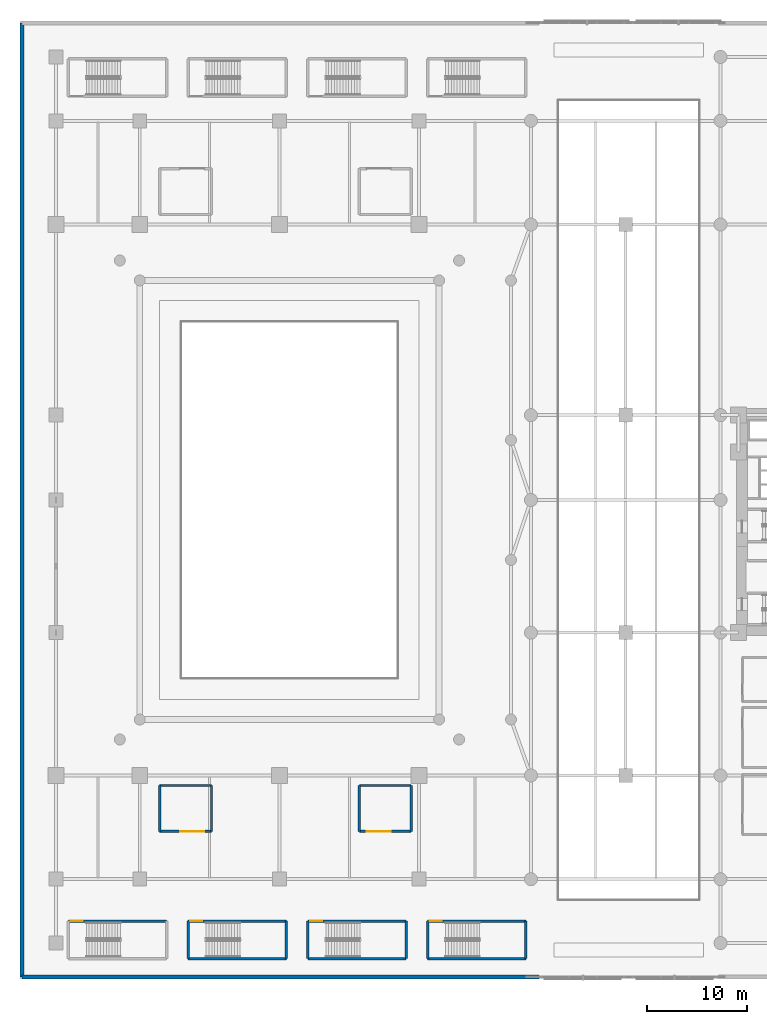
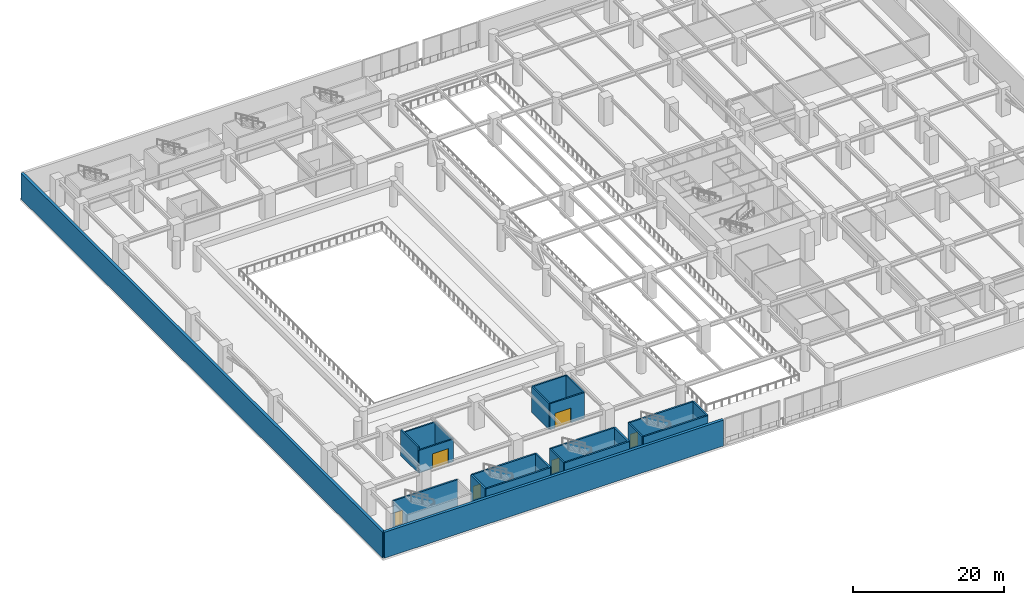
# One storey, part 12 of 32: 23 walls, 6 doors, 6 openings.
"""IFC4 building model written with IfcOpenShell, lengths in metres."""

from ifc_helpers import new_model, si_unit, direction, frame, frame_2d, origin, place, context, subcontext, project, spatial, rectangle, extrude, material, layer, layer_set, type_object, element, fill, save


model = new_model("IFC4")

# Units and contexts
model_context = context("Model", 3, precision=1e-05, world=origin(), true_north=direction((0.0, 1.0)))
body_context = subcontext(model_context, "Body", "Model", "MODEL_VIEW")
ifc_project = project(units=[si_unit("LENGTHUNIT", "METRE"), si_unit("AREAUNIT", "SQUARE_METRE"), si_unit("VOLUMEUNIT", "CUBIC_METRE"), si_unit("PLANEANGLEUNIT", "RADIAN"), si_unit("MASSUNIT", "GRAM", prefix="KILO")], contexts=[model_context])

# Site, building, storey
site_placement = place(None, origin())
site = spatial("IfcSite", under=ifc_project, at=site_placement, CompositionType="ELEMENT")
building_placement = place(site_placement, origin())
building = spatial("IfcBuilding", under=site, at=building_placement, Name="Narakoshi Arena Tower", CompositionType="ELEMENT")
storey_placement = place(building_placement, frame((0.0, 0.0, 4.5)))
storey = spatial("IfcBuildingStorey", under=building, at=storey_placement, Name="L01", CompositionType="ELEMENT", Elevation=4.5)

# Wall, opening, door
ifc_material_1 = material(Name="Concrete C40/50", Category="concrete")
ifc_layer_1 = layer(ifc_material_1, 0.219970703125)
ifc_layer_set_1 = layer_set([ifc_layer_1], Name="Concrete C40/50")
wall_type_1 = type_object("IfcWallType", Name="WL-COMP-220", PredefinedType="SOLIDWALL", material=ifc_layer_set_1)
wall_1_placement = place(storey_placement, frame((14.0, 14.800048828125, 0.0), z_axis=(0.0, 0.0, 1.0), x_axis=(1.0, 0.0, 0.0)))
wall_1 = element("IfcWall", 1, at=wall_1_placement, inside=storey, type_object=wall_type_1, Name="L01 Vomitory 1 Wall S", PredefinedType="SOLIDWALL", context=body_context, shape_type="SweptSolid", body=[
    extrude(rectangle(XDim=5.199951171875, YDim=0.219970703125, at=frame_2d((2.60009765625, 0.0))), origin(), (0.0, 0.0, 1.0), 3.6650390625),
])
opening_1_placement = place(wall_1_placement, frame((2.050048828125, 0.0, 0.0)))
opening_1 = element("IfcOpeningElement", 2, at=opening_1_placement, cuts=wall_1, Name="Opening D-02", PredefinedType="OPENING", context=body_context, shape_type="SweptSolid", body=[
    extrude(rectangle(XDim=2.39990234375, YDim=2.39990234375, at=frame_2d((1.199951171875, 1.199951171875))), frame((0.0, 0.119873046875, 0.0), z_axis=(0.0, -1.0, 0.0), x_axis=(1.0, 0.0, 0.0)), (0.0, 0.0, 1.0), 0.239990234375),
])
ifc_material_2 = material(Name="Painted galvanized steel", Category="steel")
door_type_1 = type_object("IfcDoorType", Name="DR-ARN-2400", OperationType="DOUBLE_DOOR_SINGLE_SWING", PredefinedType="USERDEFINED", material=ifc_material_2)
door_1_placement = place(opening_1_placement, frame((2.39990234375, 0.0, 0.0), z_axis=(0.0, 0.0, 1.0), x_axis=(-1.0, 0.0, 0.0)))
door_1 = element("IfcDoor", 3, at=door_1_placement, inside=storey, type_object=door_type_1, Name="DR-L01-022", ObjectType="EXITDOOR", OperationType="DOUBLE_DOOR_SINGLE_SWING", OverallHeight=2.39990234375, OverallWidth=2.39990234375, PredefinedType="USERDEFINED", context=body_context, shape_type="SweptSolid", body=[
    extrude(rectangle(XDim=2.39990234375, YDim=2.39990234375, at=frame_2d((1.199951171875, 1.199951171875))), frame((0.0, 0.02490234375, 0.0), z_axis=(0.0, -1.0, 0.0), x_axis=(1.0, 0.0, 0.0)), (0.0, 0.0, 1.0), 0.050048828125),
])
fill(opening_1, door_1)

# Walls
wall_2_placement = place(storey_placement, frame((19.199951171875, 14.800048828125, 0.0), z_axis=(0.0, 0.0, 1.0), x_axis=(0.0, 1.0, 0.0)))
element("IfcWall", 4, at=wall_2_placement, inside=storey, type_object=wall_type_1, Name="L01 Vomitory 1 Wall E", PredefinedType="SOLIDWALL", context=body_context, shape_type="SweptSolid", body=[
    extrude(rectangle(XDim=4.599853515625, YDim=0.219970703125, at=frame_2d((2.2998046875, 0.0))), origin(), (0.0, 0.0, 1.0), 3.6650390625),
])
wall_3_placement = place(storey_placement, frame((19.199951171875, 19.39990234375, 0.0), z_axis=(0.0, 0.0, 1.0), x_axis=(-1.0, 0.0, 0.0)))
element("IfcWall", 5, at=wall_3_placement, inside=storey, type_object=wall_type_1, Name="L01 Vomitory 1 Wall N", PredefinedType="SOLIDWALL", context=body_context, shape_type="SweptSolid", body=[
    extrude(rectangle(XDim=5.199951171875, YDim=0.219970703125, at=frame_2d((2.60009765625, 0.0))), origin(), (0.0, 0.0, 1.0), 3.6650390625),
])
wall_4_placement = place(storey_placement, frame((14.0, 19.39990234375, 0.0), z_axis=(0.0, 0.0, 1.0), x_axis=(0.0, -1.0, 0.0)))
element("IfcWall", 6, at=wall_4_placement, inside=storey, type_object=wall_type_1, Name="L01 Vomitory 1 Wall W", PredefinedType="SOLIDWALL", context=body_context, shape_type="SweptSolid", body=[
    extrude(rectangle(XDim=4.599853515625, YDim=0.219970703125, at=frame_2d((2.2998046875, 0.0))), origin(), (0.0, 0.0, 1.0), 4.179931640625),
])

# Wall, opening, door
wall_5_placement = place(storey_placement, frame((34.0, 14.800048828125, 0.0), z_axis=(0.0, 0.0, 1.0), x_axis=(1.0, 0.0, 0.0)))
wall_5 = element("IfcWall", 7, at=wall_5_placement, inside=storey, type_object=wall_type_1, Name="L01 Vomitory 2 Wall S", PredefinedType="SOLIDWALL", context=body_context, shape_type="SweptSolid", body=[
    extrude(rectangle(XDim=5.199951171875, YDim=0.219970703125, at=frame_2d((2.60009765625, 0.0))), origin(), (0.0, 0.0, 1.0), 4.179931640625),
])
opening_2_placement = place(wall_5_placement, frame((0.75, 0.0, 0.0)))
opening_2 = element("IfcOpeningElement", 8, at=opening_2_placement, cuts=wall_5, Name="Opening D-02", PredefinedType="OPENING", context=body_context, shape_type="SweptSolid", body=[
    extrude(rectangle(XDim=2.39990234375, YDim=2.39990234375, at=frame_2d((1.199951171875, 1.199951171875))), frame((0.0, 0.119873046875, 0.0), z_axis=(0.0, -1.0, 0.0), x_axis=(1.0, 0.0, 0.0)), (0.0, 0.0, 1.0), 0.239990234375),
])
door_2_placement = place(opening_2_placement, frame((2.39990234375, 0.0, 0.0), z_axis=(0.0, 0.0, 1.0), x_axis=(-1.0, 0.0, 0.0)))
door_2 = element("IfcDoor", 9, at=door_2_placement, inside=storey, type_object=door_type_1, Name="DR-L01-023", ObjectType="EXITDOOR", OperationType="DOUBLE_DOOR_SINGLE_SWING", OverallHeight=2.39990234375, OverallWidth=2.39990234375, PredefinedType="USERDEFINED", context=body_context, shape_type="SweptSolid", body=[
    extrude(rectangle(XDim=2.39990234375, YDim=2.39990234375, at=frame_2d((1.199951171875, 1.199951171875))), frame((0.0, 0.02490234375, 0.0), z_axis=(0.0, -1.0, 0.0), x_axis=(1.0, 0.0, 0.0)), (0.0, 0.0, 1.0), 0.050048828125),
])
fill(opening_2, door_2)

# Walls
wall_6_placement = place(storey_placement, frame((39.199951171875, 14.800048828125, 0.0), z_axis=(0.0, 0.0, 1.0), x_axis=(0.0, 1.0, 0.0)))
element("IfcWall", 10, at=wall_6_placement, inside=storey, type_object=wall_type_1, Name="L01 Vomitory 2 Wall E", PredefinedType="SOLIDWALL", context=body_context, shape_type="SweptSolid", body=[
    extrude(rectangle(XDim=4.599853515625, YDim=0.219970703125, at=frame_2d((2.2998046875, 0.0))), origin(), (0.0, 0.0, 1.0), 4.179931640625),
])
wall_7_placement = place(storey_placement, frame((39.199951171875, 19.39990234375, 0.0), z_axis=(0.0, 0.0, 1.0), x_axis=(-1.0, 0.0, 0.0)))
element("IfcWall", 11, at=wall_7_placement, inside=storey, type_object=wall_type_1, Name="L01 Vomitory 2 Wall N", PredefinedType="SOLIDWALL", context=body_context, shape_type="SweptSolid", body=[
    extrude(rectangle(XDim=5.199951171875, YDim=0.219970703125, at=frame_2d((2.60009765625, 0.0))), origin(), (0.0, 0.0, 1.0), 4.179931640625),
])
wall_8_placement = place(storey_placement, frame((34.0, 19.39990234375, 0.0), z_axis=(0.0, 0.0, 1.0), x_axis=(0.0, -1.0, 0.0)))
element("IfcWall", 12, at=wall_8_placement, inside=storey, type_object=wall_type_1, Name="L01 Vomitory 2 Wall W", PredefinedType="SOLIDWALL", context=body_context, shape_type="SweptSolid", body=[
    extrude(rectangle(XDim=4.599853515625, YDim=0.219970703125, at=frame_2d((2.2998046875, 0.0))), origin(), (0.0, 0.0, 1.0), 4.179931640625),
])
ifc_material_3 = material(Name="Precast concrete C45/55", Category="concrete")
ifc_layer_2 = layer(ifc_material_3, 0.419921875)
ifc_layer_set_2 = layer_set([ifc_layer_2], Name="Precast concrete C45/55")
wall_type_2 = type_object("IfcWallType", Name="WL-POD-420", PredefinedType="SOLIDWALL", material=ifc_layer_set_2)
wall_9_placement = place(storey_placement, frame((0.2099609375, 0.2099609375, 0.0), z_axis=(0.0, 0.0, 1.0), x_axis=(1.0, 0.0, 0.0)))
element("IfcWall", 13, at=wall_9_placement, inside=storey, type_object=wall_type_2, Name="L01 Podium Precast Facade Wall SW", PredefinedType="SOLIDWALL", context=body_context, shape_type="SweptSolid", body=[
    extrude(rectangle(XDim=51.7900390625, YDim=0.419921875, at=frame_2d((25.89501953125, 0.0))), origin(), (0.0, 0.0, 1.0), 4.179931640625),
])
wall_10_placement = place(storey_placement, frame((0.2099609375, 95.7900390625, 0.0), z_axis=(0.0, 0.0, 1.0), x_axis=(0.0, -1.0, 0.0)))
element("IfcWall", 14, at=wall_10_placement, inside=storey, type_object=wall_type_2, Name="L01 Podium Precast Facade Wall W", PredefinedType="SOLIDWALL", context=body_context, shape_type="SweptSolid", body=[
    extrude(rectangle(XDim=95.580078125, YDim=0.419921875, at=frame_2d((47.7900390625, 0.0))), origin(), (0.0, 0.0, 1.0), 4.179931640625),
])

# Wall, opening, door
ifc_material_4 = material(Name="Concrete C50/60", Category="concrete")
ifc_layer_3 = layer(ifc_material_4, 0.35009765625)
ifc_layer_set_3 = layer_set([ifc_layer_3], Name="Concrete C50/60")
wall_type_3 = type_object("IfcWallType", Name="WL-SHAFT-350", PredefinedType="SOLIDWALL", material=ifc_layer_set_3)
wall_11_placement = place(storey_placement, frame((4.85009765625, 5.800048828125, -0.320068359375), z_axis=(0.0, 0.0, 1.0), x_axis=(1.0, 0.0, 0.0)))
wall_11 = element("IfcWall", 15, at=wall_11_placement, inside=storey, type_object=wall_type_3, Name="L01 AST1 Landing Door Wall", PredefinedType="SOLIDWALL", context=body_context, shape_type="SweptSolid", body=[
    extrude(rectangle(XDim=9.849853515625, YDim=0.25, at=frame_2d((4.9248046875, 0.0))), origin(), (0.0, 0.0, 1.0), 4.5),
])
opening_3_placement = place(wall_11_placement, frame((0.219970703125, 0.0, 0.320068359375)))
opening_3 = element("IfcOpeningElement", 16, at=opening_3_placement, cuts=wall_11, Name="Opening D-03", PredefinedType="OPENING", context=body_context, shape_type="SweptSolid", body=[
    extrude(rectangle(XDim=1.199951171875, YDim=2.199951171875, at=frame_2d((0.60009765625, 1.10009765625))), frame((0.0, 0.135009765625, 0.0), z_axis=(0.0, -1.0, 0.0), x_axis=(1.0, 0.0, 0.0)), (0.0, 0.0, 1.0), 0.27001953125),
])
door_type_2 = type_object("IfcDoorType", Name="DR-STR-1200", OperationType="NOTDEFINED", PredefinedType="USERDEFINED", material=ifc_material_2)
door_3_placement = place(opening_3_placement, frame((1.199951171875, 0.0, 0.0), z_axis=(0.0, 0.0, 1.0), x_axis=(-1.0, 0.0, 0.0)))
door_3 = element("IfcDoor", 17, at=door_3_placement, inside=storey, type_object=door_type_2, Name="DR-L01-014", ObjectType="EXITDOOR", OperationType="SINGLE_SWING_LEFT", OverallHeight=2.199951171875, OverallWidth=1.199951171875, PredefinedType="USERDEFINED", context=body_context, shape_type="SweptSolid", body=[
    extrude(rectangle(XDim=1.199951171875, YDim=2.199951171875, at=frame_2d((0.60009765625, 1.10009765625))), frame((0.0, 0.02490234375, 0.0), z_axis=(0.0, -1.0, 0.0), x_axis=(1.0, 0.0, 0.0)), (0.0, 0.0, 1.0), 0.050048828125),
])
fill(opening_3, door_3)

# Walls
for number, where, z_axis, x_axis, name in (
    (18, (16.85009765625, 2.050048828125, -0.320068359375), (0.0, 0.0, 1.0), (0.0, 1.0, 0.0), "L01 AST2 Enclosure Wall W"),
    (19, (26.699951171875, 2.050048828125, -0.320068359375), (0.0, 0.0, 1.0), (0.0, 1.0, 0.0), "L01 AST2 Enclosure Wall E"),
):
    element("IfcWall", number, at=place(storey_placement, frame(where, z_axis=z_axis, x_axis=x_axis)), inside=storey, type_object=wall_type_3, Name=name, PredefinedType="SOLIDWALL", context=body_context, shape_type="SweptSolid", body=[
        extrude(rectangle(XDim=3.75, YDim=0.25, at=frame_2d((1.875, 0.0))), origin(), (0.0, 0.0, 1.0), 4.5),
    ])
wall_12_placement = place(storey_placement, frame((16.85009765625, 2.050048828125, -0.320068359375), z_axis=(0.0, 0.0, 1.0), x_axis=(1.0, 0.0, 0.0)))
element("IfcWall", 20, at=wall_12_placement, inside=storey, type_object=wall_type_3, Name="L01 AST2 Enclosure Wall B", PredefinedType="SOLIDWALL", context=body_context, shape_type="SweptSolid", body=[
    extrude(rectangle(XDim=9.849853515625, YDim=0.25, at=frame_2d((4.9248046875, 0.0))), origin(), (0.0, 0.0, 1.0), 4.5),
])

# Wall, opening, door
wall_13_placement = place(storey_placement, frame((16.85009765625, 5.800048828125, -0.320068359375), z_axis=(0.0, 0.0, 1.0), x_axis=(1.0, 0.0, 0.0)))
wall_13 = element("IfcWall", 21, at=wall_13_placement, inside=storey, type_object=wall_type_3, Name="L01 AST2 Landing Door Wall", PredefinedType="SOLIDWALL", context=body_context, shape_type="SweptSolid", body=[
    extrude(rectangle(XDim=9.849853515625, YDim=0.25, at=frame_2d((4.9248046875, 0.0))), origin(), (0.0, 0.0, 1.0), 4.5),
])
opening_4_placement = place(wall_13_placement, frame((0.219970703125, 0.0, 0.320068359375)))
opening_4 = element("IfcOpeningElement", 22, at=opening_4_placement, cuts=wall_13, Name="Opening D-03", PredefinedType="OPENING", context=body_context, shape_type="SweptSolid", body=[
    extrude(rectangle(XDim=1.199951171875, YDim=2.199951171875, at=frame_2d((0.60009765625, 1.10009765625))), frame((0.0, 0.135009765625, 0.0), z_axis=(0.0, -1.0, 0.0), x_axis=(1.0, 0.0, 0.0)), (0.0, 0.0, 1.0), 0.27001953125),
])
door_4_placement = place(opening_4_placement, frame((1.199951171875, 0.0, 0.0), z_axis=(0.0, 0.0, 1.0), x_axis=(-1.0, 0.0, 0.0)))
door_4 = element("IfcDoor", 23, at=door_4_placement, inside=storey, type_object=door_type_2, Name="DR-L01-015", ObjectType="EXITDOOR", OperationType="SINGLE_SWING_RIGHT", OverallHeight=2.199951171875, OverallWidth=1.199951171875, PredefinedType="USERDEFINED", context=body_context, shape_type="SweptSolid", body=[
    extrude(rectangle(XDim=1.199951171875, YDim=2.199951171875, at=frame_2d((0.60009765625, 1.10009765625))), frame((0.0, 0.02490234375, 0.0), z_axis=(0.0, -1.0, 0.0), x_axis=(1.0, 0.0, 0.0)), (0.0, 0.0, 1.0), 0.050048828125),
])
fill(opening_4, door_4)

# Walls
for number, where, z_axis, x_axis, name in (
    (24, (28.85009765625, 2.050048828125, -0.320068359375), (0.0, 0.0, 1.0), (0.0, 1.0, 0.0), "L01 AST3 Enclosure Wall W"),
    (25, (38.699951171875, 2.050048828125, -0.320068359375), (0.0, 0.0, 1.0), (0.0, 1.0, 0.0), "L01 AST3 Enclosure Wall E"),
):
    element("IfcWall", number, at=place(storey_placement, frame(where, z_axis=z_axis, x_axis=x_axis)), inside=storey, type_object=wall_type_3, Name=name, PredefinedType="SOLIDWALL", context=body_context, shape_type="SweptSolid", body=[
        extrude(rectangle(XDim=3.75, YDim=0.25, at=frame_2d((1.875, 0.0))), origin(), (0.0, 0.0, 1.0), 4.5),
    ])
wall_14_placement = place(storey_placement, frame((28.85009765625, 2.050048828125, -0.320068359375), z_axis=(0.0, 0.0, 1.0), x_axis=(1.0, 0.0, 0.0)))
element("IfcWall", 26, at=wall_14_placement, inside=storey, type_object=wall_type_3, Name="L01 AST3 Enclosure Wall B", PredefinedType="SOLIDWALL", context=body_context, shape_type="SweptSolid", body=[
    extrude(rectangle(XDim=9.849853515625, YDim=0.25, at=frame_2d((4.9248046875, 0.0))), origin(), (0.0, 0.0, 1.0), 4.5),
])

# Wall, opening, door
wall_15_placement = place(storey_placement, frame((28.85009765625, 5.800048828125, -0.320068359375), z_axis=(0.0, 0.0, 1.0), x_axis=(1.0, 0.0, 0.0)))
wall_15 = element("IfcWall", 27, at=wall_15_placement, inside=storey, type_object=wall_type_3, Name="L01 AST3 Landing Door Wall", PredefinedType="SOLIDWALL", context=body_context, shape_type="SweptSolid", body=[
    extrude(rectangle(XDim=9.849853515625, YDim=0.25, at=frame_2d((4.9248046875, 0.0))), origin(), (0.0, 0.0, 1.0), 4.5),
])
opening_5_placement = place(wall_15_placement, frame((0.219970703125, 0.0, 0.320068359375)))
opening_5 = element("IfcOpeningElement", 28, at=opening_5_placement, cuts=wall_15, Name="Opening D-03", PredefinedType="OPENING", context=body_context, shape_type="SweptSolid", body=[
    extrude(rectangle(XDim=1.199951171875, YDim=2.199951171875, at=frame_2d((0.60009765625, 1.10009765625))), frame((0.0, 0.135009765625, 0.0), z_axis=(0.0, -1.0, 0.0), x_axis=(1.0, 0.0, 0.0)), (0.0, 0.0, 1.0), 0.27001953125),
])
door_5_placement = place(opening_5_placement, frame((1.199951171875, 0.0, 0.0), z_axis=(0.0, 0.0, 1.0), x_axis=(-1.0, 0.0, 0.0)))
door_5 = element("IfcDoor", 29, at=door_5_placement, inside=storey, type_object=door_type_2, Name="DR-L01-016", ObjectType="EXITDOOR", OperationType="SINGLE_SWING_LEFT", OverallHeight=2.199951171875, OverallWidth=1.199951171875, PredefinedType="USERDEFINED", context=body_context, shape_type="SweptSolid", body=[
    extrude(rectangle(XDim=1.199951171875, YDim=2.199951171875, at=frame_2d((0.60009765625, 1.10009765625))), frame((0.0, 0.02490234375, 0.0), z_axis=(0.0, -1.0, 0.0), x_axis=(1.0, 0.0, 0.0)), (0.0, 0.0, 1.0), 0.050048828125),
])
fill(opening_5, door_5)

# Walls
for number, where, z_axis, x_axis, name in (
    (30, (40.85009765625, 2.050048828125, -0.320068359375), (0.0, 0.0, 1.0), (0.0, 1.0, 0.0), "L01 AST4 Enclosure Wall W"),
    (31, (50.699951171875, 2.050048828125, -0.320068359375), (0.0, 0.0, 1.0), (0.0, 1.0, 0.0), "L01 AST4 Enclosure Wall E"),
):
    element("IfcWall", number, at=place(storey_placement, frame(where, z_axis=z_axis, x_axis=x_axis)), inside=storey, type_object=wall_type_3, Name=name, PredefinedType="SOLIDWALL", context=body_context, shape_type="SweptSolid", body=[
        extrude(rectangle(XDim=3.75, YDim=0.25, at=frame_2d((1.875, 0.0))), origin(), (0.0, 0.0, 1.0), 4.5),
    ])
wall_16_placement = place(storey_placement, frame((40.85009765625, 2.050048828125, -0.320068359375), z_axis=(0.0, 0.0, 1.0), x_axis=(1.0, 0.0, 0.0)))
element("IfcWall", 32, at=wall_16_placement, inside=storey, type_object=wall_type_3, Name="L01 AST4 Enclosure Wall B", PredefinedType="SOLIDWALL", context=body_context, shape_type="SweptSolid", body=[
    extrude(rectangle(XDim=9.849853515625, YDim=0.25, at=frame_2d((4.9248046875, 0.0))), origin(), (0.0, 0.0, 1.0), 4.5),
])

# Wall, opening, door
wall_17_placement = place(storey_placement, frame((40.85009765625, 5.800048828125, -0.320068359375), z_axis=(0.0, 0.0, 1.0), x_axis=(1.0, 0.0, 0.0)))
wall_17 = element("IfcWall", 33, at=wall_17_placement, inside=storey, type_object=wall_type_3, Name="L01 AST4 Landing Door Wall", PredefinedType="SOLIDWALL", context=body_context, shape_type="SweptSolid", body=[
    extrude(rectangle(XDim=9.849853515625, YDim=0.25, at=frame_2d((4.9248046875, 0.0))), origin(), (0.0, 0.0, 1.0), 4.5),
])
opening_6_placement = place(wall_17_placement, frame((0.219970703125, 0.0, 0.320068359375)))
opening_6 = element("IfcOpeningElement", 34, at=opening_6_placement, cuts=wall_17, Name="Opening D-03", PredefinedType="OPENING", context=body_context, shape_type="SweptSolid", body=[
    extrude(rectangle(XDim=1.199951171875, YDim=2.199951171875, at=frame_2d((0.60009765625, 1.10009765625))), frame((0.0, 0.135009765625, 0.0), z_axis=(0.0, -1.0, 0.0), x_axis=(1.0, 0.0, 0.0)), (0.0, 0.0, 1.0), 0.27001953125),
])
door_6_placement = place(opening_6_placement, frame((1.199951171875, 0.0, 0.0), z_axis=(0.0, 0.0, 1.0), x_axis=(-1.0, 0.0, 0.0)))
door_6 = element("IfcDoor", 35, at=door_6_placement, inside=storey, type_object=door_type_2, Name="DR-L01-017", ObjectType="EXITDOOR", OperationType="SINGLE_SWING_RIGHT", OverallHeight=2.199951171875, OverallWidth=1.199951171875, PredefinedType="USERDEFINED", context=body_context, shape_type="SweptSolid", body=[
    extrude(rectangle(XDim=1.199951171875, YDim=2.199951171875, at=frame_2d((0.60009765625, 1.10009765625))), frame((0.0, 0.02490234375, 0.0), z_axis=(0.0, -1.0, 0.0), x_axis=(1.0, 0.0, 0.0)), (0.0, 0.0, 1.0), 0.050048828125),
])
fill(opening_6, door_6)

save(model, "model.ifc")
